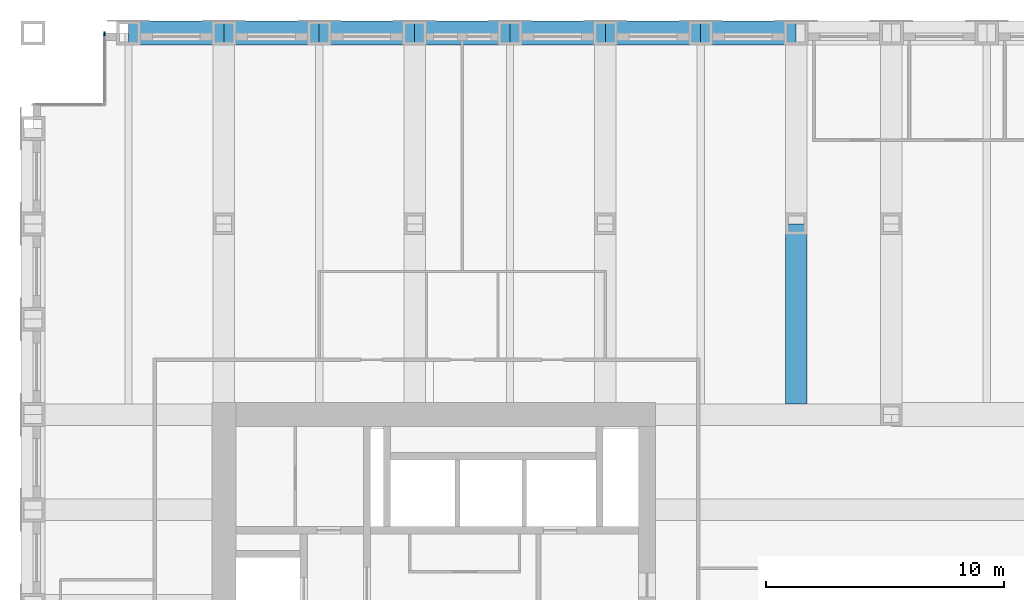
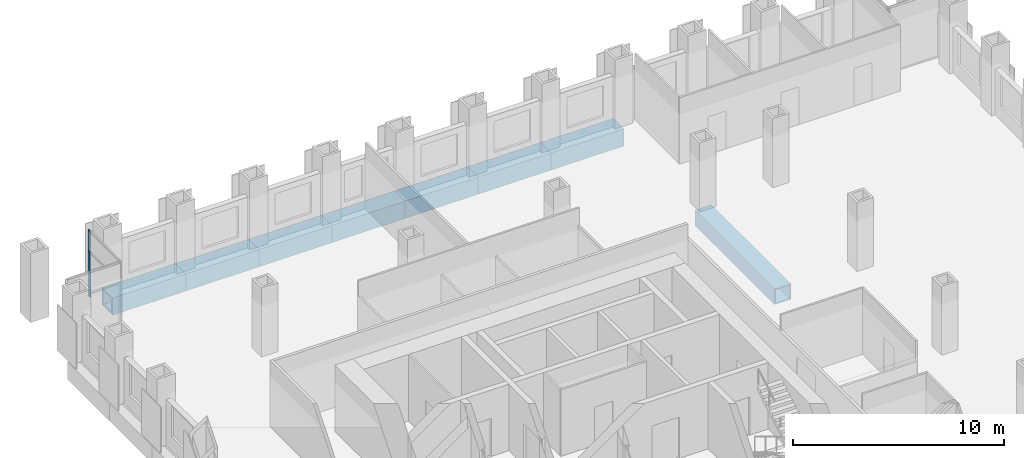
# One storey, part 8 of 16: 8 beams, 2 members, 2 elements without a shape of their own.
"""IFC4 building model written with IfcOpenShell, lengths in metres."""

import ifcopenshell
import ifcopenshell.guid

model = None  # the IFC model being written
_history = None  # IfcOwnerHistory: only IFC2X3 demands one
_inside = {}  # id of a spatial element -> (the spatial element, [elements in it])
_under = {}  # id of a project, library or spatial element -> (it, [spatial elements below it])
_declared = {}  # id of a project -> (the project, [libraries it declares])
_typed = {}  # id of a type object -> (the type object, [elements of that type])
_made_of = {}  # id of a material, layer set ... -> (it, [elements and type objects made of it])


def new_model(schema):
    """Start an empty IFC model of exactly this schema.

    Asked for "IFC4X3", IfcOpenShell would pick the latest addendum, in which some entities
    have other attributes; the version numbers below select the first issue.
    IFC2X3 requires an IfcOwnerHistory on every rooted entity: one is made here for all.
    """
    global model, _history
    if schema == "IFC4X3":
        model = ifcopenshell.file(schema_version=(4, 3, 0, 0))
    else:
        model = ifcopenshell.file(schema=schema)
    _inside.clear()
    _under.clear()
    _declared.clear()
    _typed.clear()
    _made_of.clear()
    _history = None
    if model.schema == "IFC2X3":
        org = make("IfcOrganization", Name="unknown")
        user = make(
            "IfcPersonAndOrganization",
            ThePerson=make("IfcPerson", FamilyName="unknown"),
            TheOrganization=org,
        )
        app = make(
            "IfcApplication",
            ApplicationDeveloper=org,
            Version="unknown",
            ApplicationFullName="unknown",
            ApplicationIdentifier="unknown",
        )
        _history = make(
            "IfcOwnerHistory",
            OwningUser=user,
            OwningApplication=app,
            ChangeAction="ADDED",
            CreationDate=0,
        )
    return model


def make(cls, **values):
    """One entity of the class cls with the attributes given. An attribute that is None is left unset."""
    return model.create_entity(
        cls, **{name: value for name, value in values.items() if value is not None}
    )


def rooted(cls, **values):
    """An entity with a GlobalId (a new one), such as an element, a storey or a relation."""
    return make(cls, GlobalId=ifcopenshell.guid.new(), OwnerHistory=_history, **values)


def si_unit(unit_type, name, prefix=None):
    """IfcSIUnit, for example si_unit("LENGTHUNIT", "METRE", prefix="MILLI")."""
    return make("IfcSIUnit", UnitType=unit_type, Prefix=prefix, Name=name)


def assignment(units):
    """IfcUnitAssignment: the units of a project."""
    return None if units is None else make("IfcUnitAssignment", Units=units)


def point(xyz):
    """IfcCartesianPoint."""
    return None if xyz is None else make("IfcCartesianPoint", Coordinates=xyz)


def direction(xyz):
    """IfcDirection."""
    return None if xyz is None else make("IfcDirection", DirectionRatios=xyz)


def frame(location, z_axis=None, x_axis=None):
    """IfcAxis2Placement3D, a coordinate frame: its origin and axes. An axis left out is left unset."""
    return make(
        "IfcAxis2Placement3D",
        Location=point(location),
        Axis=direction(z_axis),
        RefDirection=direction(x_axis),
    )


def frame_2d(location, x_axis=None):
    """IfcAxis2Placement2D, a coordinate frame in the plane: its origin and x axis."""
    return make(
        "IfcAxis2Placement2D", Location=point(location), RefDirection=direction(x_axis)
    )


def origin():
    """The frame at (0, 0, 0) with its axes left unset."""
    return frame((0.0, 0.0, 0.0))


def origin_2d():
    """The frame at (0, 0) in the plane with its x axis left unset."""
    return frame_2d((0.0, 0.0))


def place(relative_to, where):
    """IfcLocalPlacement: puts the frame where relative to a parent placement (None: the world)."""
    return make(
        "IfcLocalPlacement", PlacementRelTo=relative_to, RelativePlacement=where
    )


def context(
    kind, dimensions, precision=None, world=None, true_north=None, identifier=None
):
    """IfcGeometricRepresentationContext, for example the 3D "Model" context."""
    return make(
        "IfcGeometricRepresentationContext",
        ContextIdentifier=identifier,
        ContextType=kind,
        CoordinateSpaceDimension=dimensions,
        Precision=precision,
        WorldCoordinateSystem=world,
        TrueNorth=true_north,
    )


def subcontext(parent, identifier, kind, view, scale=None):
    """IfcGeometricRepresentationSubContext, for example "Body" below "Model"."""
    return make(
        "IfcGeometricRepresentationSubContext",
        ContextIdentifier=identifier,
        ContextType=kind,
        ParentContext=parent,
        TargetScale=scale,
        TargetView=view,
    )


def project(units=None, contexts=None):
    """IfcProject with its units and contexts."""
    return rooted(
        "IfcProject",
        Name="project",
        RepresentationContexts=contexts,
        UnitsInContext=assignment(units),
    )


def spatial(cls, under=None, at=None, **own):
    """A site, building, storey or space (cls), placed at a placement, below another one or the project."""
    s = rooted(cls, ObjectPlacement=at, **own)
    if under is not None:
        _under.setdefault(under.id(), (under, []))[1].append(s)
    return s


def profile(cls, at=None, kind="AREA", **sizes):
    """A parametric profile (cls). Its sizes go by their IFC names, for example OverallWidth=200.0."""
    return make(cls, ProfileType=kind, Position=at, **sizes)


def rectangle(**sizes):
    """IfcRectangleProfileDef."""
    return profile("IfcRectangleProfileDef", **sizes)


def hollow_rectangle(**sizes):
    """IfcRectangleHollowProfileDef."""
    return profile("IfcRectangleHollowProfileDef", **sizes)


def extrude(swept, where, along, depth):
    """IfcExtrudedAreaSolid: the profile swept, set in the frame where, extruded along a direction by depth."""
    return make(
        "IfcExtrudedAreaSolid",
        SweptArea=swept,
        Position=where,
        ExtrudedDirection=direction(along),
        Depth=depth,
    )


def shape(context_of_items, identifier, shape_type, items):
    """IfcShapeRepresentation: the items that make up one representation, for example the "Body"."""
    return make(
        "IfcShapeRepresentation",
        ContextOfItems=context_of_items,
        RepresentationIdentifier=identifier,
        RepresentationType=shape_type,
        Items=items,
    )


def material(Name=None, Category=None):
    """IfcMaterial."""
    return make("IfcMaterial", Name=Name, Category=Category)


def material_profile(
    of_material, cross_section, Name=None, Category=None, Priority=None
):
    """IfcMaterialProfile: a cross section and its material."""
    return make(
        "IfcMaterialProfile",
        Name=Name,
        Material=of_material,
        Profile=cross_section,
        Priority=Priority,
        Category=Category,
    )


def profile_set(profiles, Name=None, composite=None):
    """IfcMaterialProfileSet."""
    return make(
        "IfcMaterialProfileSet",
        Name=Name,
        MaterialProfiles=profiles,
        CompositeProfile=composite,
    )


def made_of(thing, what):
    """Note that an element or type object is made of a material, layer set ...; save() writes the relation."""
    if what is not None:
        _made_of.setdefault(what.id(), (what, []))[1].append(thing)
    return thing


def type_object(cls, material=None, **own):
    """A type object (cls), such as IfcWallType, which elements share."""
    return made_of(rooted(cls, **own), material)


def element(
    cls,
    number,
    at=None,
    inside=None,
    cuts=None,
    type_object=None,
    material=None,
    context=None,
    identifier="Body",
    shape_type=None,
    held_by="IfcProductDefinitionShape",
    body=None,
    shapes=None,
    **own,
):
    """One element of the class cls, such as IfcWall. Its Tag is "e" and its number.

    at: its placement. inside: the storey or other place that contains it. cuts: it is an
    opening in that element (IfcRelVoidsElement). A single representation is given by context,
    identifier, shape_type and body (its items); several are given by shapes. held_by: the class
    of the entity that holds the representations. save() writes the other relations.
    """
    e = rooted(cls, Tag="e%d" % number, ObjectPlacement=at, **own)
    if body is not None:
        shapes = [shape(context, identifier, shape_type, body)]
    if shapes is not None:
        e.Representation = make(held_by, Representations=shapes)
    if inside is not None:
        _inside.setdefault(inside.id(), (inside, []))[1].append(e)
    if cuts is not None:
        rooted(
            "IfcRelVoidsElement", RelatingBuildingElement=cuts, RelatedOpeningElement=e
        )
    if type_object is not None:
        _typed.setdefault(type_object.id(), (type_object, []))[1].append(e)
    return made_of(e, material)


def aggregate(whole, parts):
    """IfcRelAggregates: a whole, such as a stair, and the parts it consists of."""
    return rooted("IfcRelAggregates", RelatingObject=whole, RelatedObjects=parts)


def save(model, path):
    """Write the relations noted so far, then the file.

    IfcRelAggregates (storeys below a building ...), IfcRelContainedInSpatialStructure (elements
    in a storey), IfcRelDefinesByType, IfcRelAssociatesMaterial and IfcRelDeclares: one each for
    every whole, place, type object, material and project.
    """
    for whole, parts in _under.values():
        aggregate(whole, parts)
    for where, things in _inside.values():
        rooted(
            "IfcRelContainedInSpatialStructure",
            RelatedElements=things,
            RelatingStructure=where,
        )
    for kind, things in _typed.values():
        rooted("IfcRelDefinesByType", RelatedObjects=things, RelatingType=kind)
    for what, things in _made_of.values():
        rooted("IfcRelAssociatesMaterial", RelatedObjects=things, RelatingMaterial=what)
    for by, libraries in _declared.values():
        rooted("IfcRelDeclares", RelatingContext=by, RelatedDefinitions=libraries)
    model.write(path)


model = new_model("IFC4")

# Units and contexts
model_context = context("Model", 3, precision=1e-05, world=origin(), true_north=direction((0.0, 1.0)))
body_context = subcontext(model_context, "Body", "Model", "MODEL_VIEW")
ifc_project = project(units=[si_unit("LENGTHUNIT", "METRE"), si_unit("AREAUNIT", "SQUARE_METRE"), si_unit("VOLUMEUNIT", "CUBIC_METRE"), si_unit("PLANEANGLEUNIT", "RADIAN"), si_unit("MASSUNIT", "GRAM", prefix="KILO")], contexts=[model_context])

# Site, building, storey
site_placement = place(None, origin())
site = spatial("IfcSite", under=ifc_project, at=site_placement, CompositionType="ELEMENT")
building_placement = place(site_placement, origin())
building = spatial("IfcBuilding", under=site, at=building_placement, Name="Rimbunsela Tower", CompositionType="ELEMENT")
storey_placement = place(building_placement, frame((0.0, 0.0, 133.39990234375)))
storey = spatial("IfcBuildingStorey", under=building, at=storey_placement, Name="L32", CompositionType="ELEMENT", Elevation=133.39990234375)

# Beams
ifc_material_1 = material(Name="Steel BJ 55 (fy 410 MPa)", Category="steel")
ifc_material_profile_1 = material_profile(ifc_material_1, hollow_rectangle(XDim=1.0, YDim=1.0, WallThickness=0.10009765625, at=origin_2d()), Name="BOX 1000x1000x100")
ifc_profile_set_1 = profile_set([ifc_material_profile_1], Name="Steel BJ 55 (fy 410 MPa)")
beam_type_1 = type_object("IfcBeamType", Name="Beam BOX 1000x1000x100", PredefinedType="BEAM", material=ifc_profile_set_1)
for number, where, z_axis, x_axis, name in (
    (1, (14.0, 52.0, -0.64990234375), (1.0, 0.0, 0.0), (0.0, 1.0, 0.0), "Beam B3 L32"),
    (2, (18.0, 52.0, -0.64990234375), (1.0, 0.0, 0.0), (0.0, 1.0, 0.0), "Beam B3 L32"),
    (3, (22.0, 52.0, -0.64990234375), (1.0, 0.0, 0.0), (0.0, 1.0, 0.0), "Beam B3 L32"),
    (4, (26.0, 52.0, -0.64990234375), (1.0, 0.0, 0.0), (0.0, 1.0, 0.0), "Beam B3 L32"),
    (5, (30.0, 52.0, -0.64990234375), (1.0, 0.0, 0.0), (0.0, 1.0, 0.0), "Beam B3 L32"),
    (6, (34.0, 52.0, -0.64990234375), (1.0, 0.0, 0.0), (0.0, 1.0, 0.0), "Beam B3 L32"),
    (7, (38.0, 52.0, -0.64990234375), (1.0, 0.0, 0.0), (0.0, 1.0, 0.0), "Beam B3 L32"),
):
    element("IfcBeam", number, at=place(storey_placement, frame(where, z_axis=z_axis, x_axis=x_axis)), inside=storey, type_object=beam_type_1, Name=name, PredefinedType="BEAM", context=body_context, shape_type="SweptSolid", body=[
        extrude(hollow_rectangle(XDim=1.0, YDim=1.0, WallThickness=0.10009765625, at=origin_2d()), origin(), (0.0, 0.0, 1.0), 4.0),
    ])
ifc_material_2 = material(Name="Steel BJ 55 (fy 410 MPa)", Category="steel")
ifc_material_profile_2 = material_profile(ifc_material_2, hollow_rectangle(XDim=0.89990234375, YDim=0.89990234375, WallThickness=0.06005859375, at=origin_2d()), Name="BOX 900x900x60")
ifc_profile_set_2 = profile_set([ifc_material_profile_2], Name="Steel BJ 55 (fy 410 MPa)")
beam_type_2 = type_object("IfcBeamType", Name="Beam BOX 900x900x60", PredefinedType="BEAM", material=ifc_profile_set_2)
beam_placement = place(storey_placement, frame((42.0, 36.449951171875, -0.599853515625), z_axis=(0.0, 1.0, 0.0), x_axis=(-1.0, 0.0, 0.0)))
element("IfcBeam", 8, at=beam_placement, inside=storey, type_object=beam_type_2, Name="Beam B1 L32", PredefinedType="BEAM", context=body_context, shape_type="SweptSolid", body=[
    extrude(hollow_rectangle(XDim=0.89990234375, YDim=0.89990234375, WallThickness=0.06005859375, at=origin_2d()), origin(), (0.0, 0.0, 1.0), 7.550048828125),
])

# Curtain wall, member
ifc_material_3 = material(Name="Aluminium curtain wall", Category="aluminium")
curtain_wall_type_1 = type_object("IfcCurtainWallType", Name="Corner glazing", PredefinedType="USERDEFINED", material=ifc_material_3)
curtain_wall_1_placement = place(storey_placement, origin())
curtain_wall_1 = element("IfcCurtainWall", 9, at=curtain_wall_1_placement, inside=storey, type_object=curtain_wall_type_1, Name="Corner glazing L32", ObjectType="CORNER GLAZING", PredefinedType="USERDEFINED")
ifc_material_4 = material(Name="Aluminium mullion", Category="aluminium")
ifc_material_profile_3 = material_profile(ifc_material_4, rectangle(XDim=0.06005859375, YDim=0.159912109375, at=origin_2d()), Name="Mullion 60x160")
ifc_profile_set_3 = profile_set([ifc_material_profile_3], Name="Aluminium mullion")
member_type = type_object("IfcMemberType", Name="Curtain wall mullion 60x160", PredefinedType="MULLION", material=ifc_profile_set_3)
member_1_placement = place(storey_placement, frame((13.0, 51.969970703125, 0.0), z_axis=(0.0, 0.0, 1.0), x_axis=(1.0, 0.0, 0.0)))
member_1 = element("IfcMember", 10, at=member_1_placement, type_object=member_type, Name="CW5 mullion 1", PredefinedType="MULLION", context=body_context, shape_type="SweptSolid", body=[
    extrude(rectangle(XDim=0.06005859375, YDim=0.159912109375, at=origin_2d()), origin(), (0.0, 0.0, 1.0), 2.650146484375),
])
aggregate(curtain_wall_1, [member_1])

ifc_material_5 = material(Name="Aluminium curtain wall", Category="aluminium")
curtain_wall_type_2 = type_object("IfcCurtainWallType", Name="Spandrel wall", PredefinedType="USERDEFINED", material=ifc_material_5)
curtain_wall_2_placement = place(storey_placement, origin())
curtain_wall_2 = element("IfcCurtainWall", 11, at=curtain_wall_2_placement, inside=storey, type_object=curtain_wall_type_2, Name="Spandrel wall L32", ObjectType="SPANDREL WALL", PredefinedType="USERDEFINED")
member_2_placement = place(storey_placement, frame((13.0, 51.969970703125, 2.650146484375), z_axis=(0.0, 0.0, 1.0), x_axis=(1.0, 0.0, 0.0)))
member_2 = element("IfcMember", 12, at=member_2_placement, type_object=member_type, Name="CW7 mullion 1", PredefinedType="MULLION", context=body_context, shape_type="SweptSolid", body=[
    extrude(rectangle(XDim=0.06005859375, YDim=0.159912109375, at=origin_2d()), origin(), (0.0, 0.0, 1.0), 1.199951171875),
])
aggregate(curtain_wall_2, [member_2])

save(model, "model.ifc")
